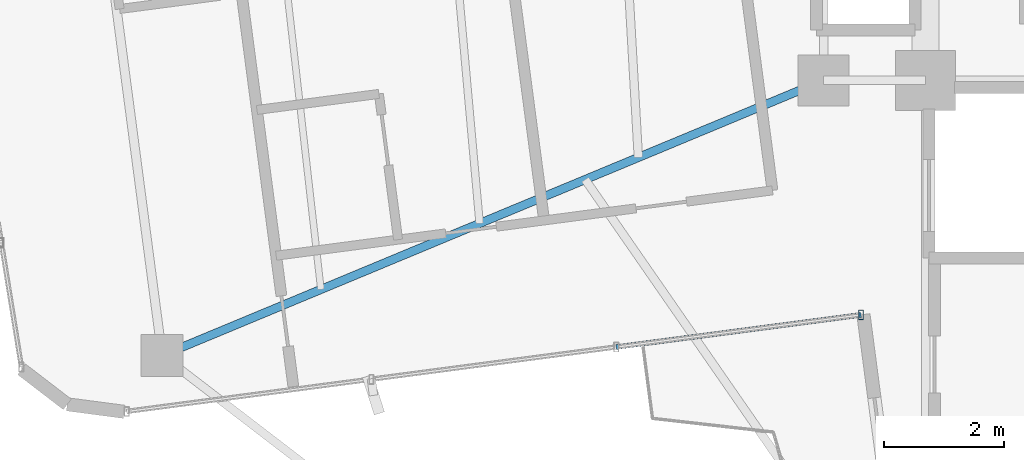
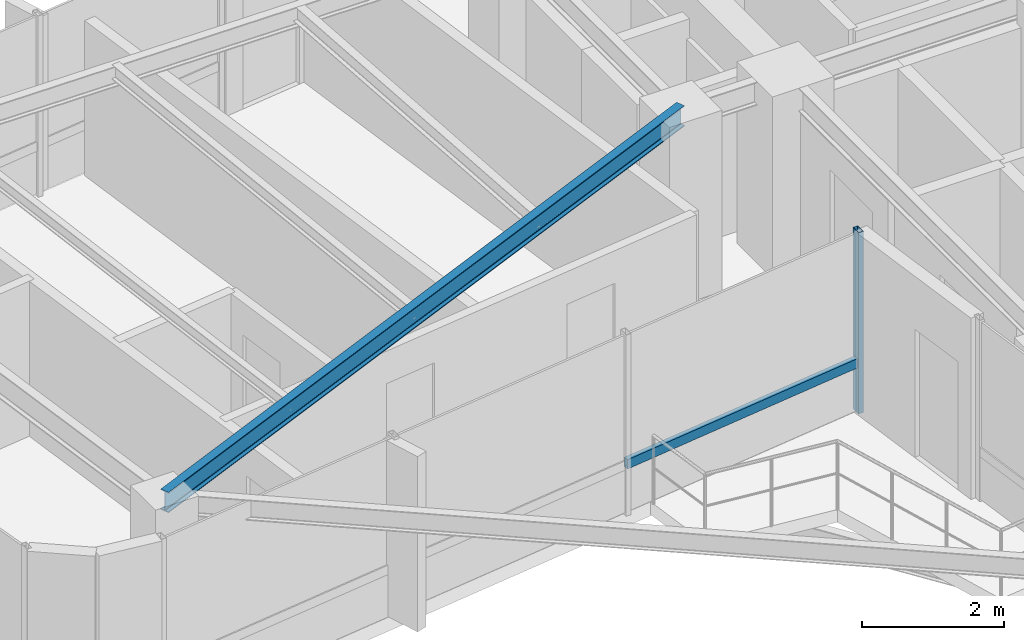
# One storey, part 3 of 22: 2 members, 1 beam, 1 element without a shape of its own.
"""IFC4 building model written with IfcOpenShell, lengths in metres."""

from ifc_helpers import new_model, si_unit, direction, frame, origin, origin_2d, place, context, subcontext, project, spatial, hollow_rectangle, i_section, extrude, source, transform, mapped, material, material_profile, profile_set, type_object, element, aggregate, save


model = new_model("IFC4")

# Units and contexts
model_context = context("Model", 3, precision=1e-05, world=origin(), true_north=direction((0.0, 1.0)))
body_context = subcontext(model_context, "Body", "Model", "MODEL_VIEW")
ifc_project = project(units=[si_unit("LENGTHUNIT", "METRE"), si_unit("AREAUNIT", "SQUARE_METRE"), si_unit("VOLUMEUNIT", "CUBIC_METRE"), si_unit("PLANEANGLEUNIT", "RADIAN"), si_unit("MASSUNIT", "GRAM", prefix="KILO")], contexts=[model_context])

# Site, building, storey
site_placement = place(None, origin())
site = spatial("IfcSite", under=ifc_project, at=site_placement, CompositionType="ELEMENT")
building_placement = place(site_placement, origin())
building = spatial("IfcBuilding", under=site, at=building_placement, Name="Sahyath Konkavel Grand Hotel", CompositionType="ELEMENT")
storey_placement = place(building_placement, frame((0.0, 0.0, 244.5)))
storey = spatial("IfcBuildingStorey", under=building, at=storey_placement, Name="L68", CompositionType="ELEMENT", Elevation=244.5)

# Beam
ifc_material_1 = material(Name="Steel E350", Category="steel")
ifc_material_profile_1 = material_profile(ifc_material_1, i_section(OverallWidth=0.139892578125, OverallDepth=0.35009765625, WebThickness=0.008056640625, FlangeThickness=0.01416015625, FilletRadius=0.013916015625, at=origin_2d()), Name="ISMB 350")
ifc_profile_set_1 = profile_set([ifc_material_profile_1], Name="Steel E350")
beam_type = type_object("IfcBeamType", Name="BM-ISMB350", PredefinedType="BEAM", material=ifc_profile_set_1)
shared_shape_1 = source(origin(), body_context, "Body", "SweptSolid", [
    extrude(i_section(OverallWidth=0.139892578125, OverallDepth=0.35009765625, WebThickness=0.008056640625, FlangeThickness=0.01416015625, FilletRadius=0.013916015625, at=origin_2d()), origin(), (0.0, 0.0, 1.0), 11.937744140625),
])
beam_placement = place(storey_placement, frame((-5.5, -2.39990234375, 2.93505859375), z_axis=(-0.923353199855, -0.38395164841, 0.0), x_axis=(0.38395164841, -0.923353199855, 0.0)))
element("IfcBeam", 1, at=beam_placement, inside=storey, type_object=beam_type, Name="L68 Cruciform Radial Girder WB", PredefinedType="BEAM", context=body_context, shape_type="MappedRepresentation", body=[
    mapped(shared_shape_1, transform((0.0, 0.0, 0.0), scale=1.0)),
])

# Curtain wall, members
ifc_material_2 = material(Name="Anodised Bronze Aluminium & Low-E Glazing", Category="aluminium")
curtain_wall_type = type_object("IfcCurtainWallType", Name="CW-ZONE4", PredefinedType="NOTDEFINED", material=ifc_material_2)
curtain_wall_placement = place(storey_placement, origin())
curtain_wall = element("IfcCurtainWall", 2, at=curtain_wall_placement, inside=storey, type_object=curtain_wall_type, Name="L68 Unitised Curtain Wall F23", PredefinedType="NOTDEFINED")
ifc_material_3 = material(Name="Anodised Bronze Aluminium", Category="aluminium")
ifc_material_profile_2 = material_profile(ifc_material_3, hollow_rectangle(XDim=0.080078125, YDim=0.159912109375, WallThickness=0.006103515625, at=origin_2d()), Name="RHS 160x80x6")
ifc_profile_set_2 = profile_set([ifc_material_profile_2], Name="Anodised Bronze Aluminium")
member_type_1 = type_object("IfcMemberType", Name="CW-MUL-160", PredefinedType="MULLION", material=ifc_profile_set_2)
shared_shape_2 = source(origin(), body_context, "Body", "SweptSolid", [
    extrude(hollow_rectangle(XDim=0.080078125, YDim=0.159912109375, WallThickness=0.006103515625, at=origin_2d()), origin(), (0.0, 0.0, 1.0), 3.110107421875),
])
member_1_placement = place(storey_placement, frame((-4.87548828125, -6.307373046875, 0.0), z_axis=(0.0, 0.0, 1.0), x_axis=(1.0, 0.0, 0.0)))
member_1 = element("IfcMember", 3, at=member_1_placement, type_object=member_type_1, Name="L68 Curtain Wall Mullion F23-3", PredefinedType="MULLION", context=body_context, shape_type="MappedRepresentation", body=[
    mapped(shared_shape_2, transform((0.0, 0.0, 0.0), scale=1.0)),
])
ifc_material_profile_3 = material_profile(ifc_material_3, hollow_rectangle(XDim=0.080078125, YDim=0.159912109375, WallThickness=0.006103515625, at=origin_2d()), Name="RHS 160x80x6")
ifc_profile_set_3 = profile_set([ifc_material_profile_3], Name="Anodised Bronze Aluminium")
member_type_2 = type_object("IfcMemberType", Name="CW-TRN-160", PredefinedType="USERDEFINED", material=ifc_profile_set_3)
shared_shape_3 = source(origin(), body_context, "Body", "SweptSolid", [
    extrude(hollow_rectangle(XDim=0.080078125, YDim=0.159912109375, WallThickness=0.006103515625, at=origin_2d()), origin(), (0.0, 0.0, 1.0), 4.115234375),
])
member_2_placement = place(storey_placement, frame((-8.95556640625, -6.844482421875, 0.85009765625), z_axis=(0.991446216664, 0.130515897359, 0.0), x_axis=(-0.130515897359, 0.991446216664, 0.0)))
member_2 = element("IfcMember", 4, at=member_2_placement, type_object=member_type_2, Name="L68 Curtain Wall Transom F23-2-spandrel", ObjectType="TRANSOM", PredefinedType="USERDEFINED", context=body_context, shape_type="MappedRepresentation", body=[
    mapped(shared_shape_3, transform((0.0, 0.0, 0.0), scale=1.0)),
])
aggregate(curtain_wall, [member_1, member_2])

save(model, "model.ifc")
